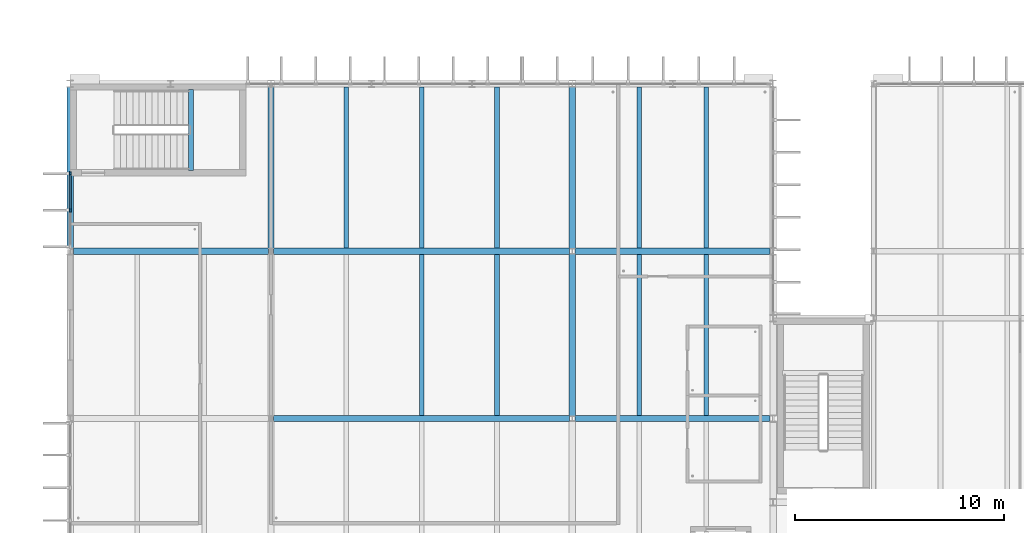
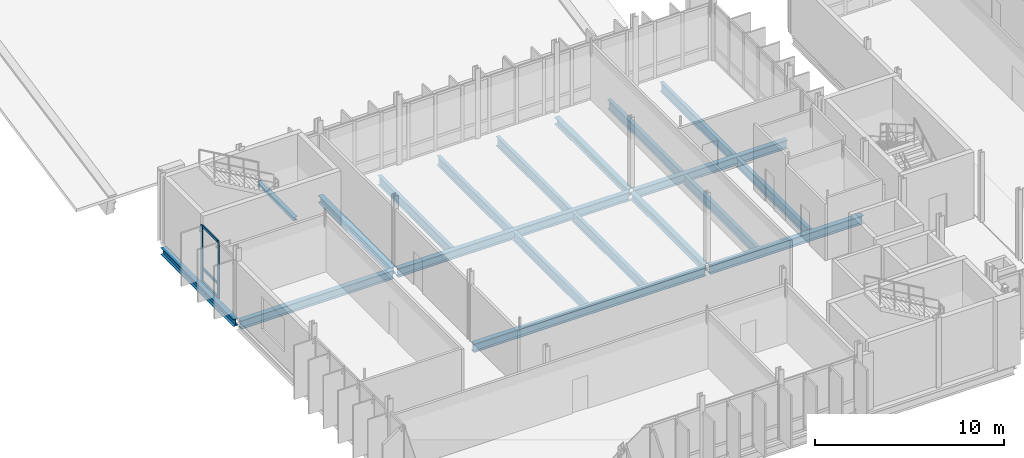
# One storey, part 15 of 59: 19 beams, 5 members, 1 element without a shape of its own.
"""IFC4 building model written with IfcOpenShell, lengths in metres."""

from ifc_helpers import new_model, si_unit, direction, frame, origin, origin_2d, place, context, subcontext, project, spatial, rectangle, i_section, extrude, material, material_profile, profile_set, type_object, element, aggregate, save


model = new_model("IFC4")

# Units and contexts
model_context = context("Model", 3, precision=1e-05, world=origin(), true_north=direction((0.0, 1.0)))
body_context = subcontext(model_context, "Body", "Model", "MODEL_VIEW")
ifc_project = project(units=[si_unit("LENGTHUNIT", "METRE"), si_unit("AREAUNIT", "SQUARE_METRE"), si_unit("VOLUMEUNIT", "CUBIC_METRE"), si_unit("PLANEANGLEUNIT", "RADIAN"), si_unit("MASSUNIT", "GRAM", prefix="KILO")], contexts=[model_context])

# Site, building, storey
site_placement = place(None, origin())
site = spatial("IfcSite", under=ifc_project, at=site_placement, CompositionType="ELEMENT")
building_placement = place(site_placement, origin())
building = spatial("IfcBuilding", under=site, at=building_placement, Name="Dunescarp Central Library", CompositionType="ELEMENT")
storey_placement = place(building_placement, frame((0.0, 0.0, 18.60009765625)))
storey = spatial("IfcBuildingStorey", under=building, at=storey_placement, Name="L04", CompositionType="ELEMENT", Elevation=18.60009765625)

# Curtain wall, members
ifc_material_1 = material(Name="Marine-grade anodised aluminium 6063-T6", Category="aluminium")
curtain_wall_type = type_object("IfcCurtainWallType", Name="ARC-CW-STICK", PredefinedType="NOTDEFINED", material=ifc_material_1)
curtain_wall_placement = place(storey_placement, origin())
curtain_wall = element("IfcCurtainWall", 1, at=curtain_wall_placement, inside=storey, type_object=curtain_wall_type, Name="L04 curtain wall CW-V1-029", PredefinedType="NOTDEFINED")
ifc_material_profile_1 = material_profile(ifc_material_1, rectangle(XDim=0.080078125, YDim=0.179931640625, at=origin_2d()), Name="AL 80x180")
ifc_profile_set_1 = profile_set([ifc_material_profile_1], Name="Marine-grade anodised aluminium 6063-T6")
member_type_1 = type_object("IfcMemberType", Name="ARC-CWM-180", PredefinedType="MULLION", material=ifc_profile_set_1)
member_1_placement = place(storey_placement, frame((0.0, 30.762451171875, 0.0), z_axis=(0.0, 0.0, 1.0), x_axis=(-1.0, 0.0, 0.0)))
member_1 = element("IfcMember", 2, at=member_1_placement, type_object=member_type_1, Name="CW-V1-029 mullion 2", PredefinedType="MULLION", context=body_context, shape_type="SweptSolid", body=[
    extrude(rectangle(XDim=0.080078125, YDim=0.179931640625, at=origin_2d()), origin(), (0.0, 0.0, 1.0), 3.664794921875),
])
member_2_placement = place(storey_placement, frame((0.0, 32.510009765625, 0.0), z_axis=(0.0, 0.0, 1.0), x_axis=(-1.0, 0.0, 0.0)))
member_2 = element("IfcMember", 3, at=member_2_placement, type_object=member_type_1, Name="CW-V1-029 mullion 3", PredefinedType="MULLION", context=body_context, shape_type="SweptSolid", body=[
    extrude(rectangle(XDim=0.080078125, YDim=0.179931640625, at=origin_2d()), origin(), (0.0, 0.0, 1.0), 3.664794921875),
])
ifc_material_profile_2 = material_profile(ifc_material_1, rectangle(XDim=0.080078125, YDim=0.14990234375, at=origin_2d()), Name="AL 80x150")
ifc_profile_set_2 = profile_set([ifc_material_profile_2], Name="Marine-grade anodised aluminium 6063-T6")
member_type_2 = type_object("IfcMemberType", Name="ARC-CWT-150", PredefinedType="USERDEFINED", material=ifc_profile_set_2)
member_3_placement = place(storey_placement, frame((0.0, 30.802490234375, 0.039794921875), z_axis=(0.0, 1.0, 0.0), x_axis=(-1.0, 0.0, 0.0)))
member_3 = element("IfcMember", 4, at=member_3_placement, type_object=member_type_2, Name="CW-V1-029 transom 2.1", ObjectType="TRANSOM", PredefinedType="USERDEFINED", context=body_context, shape_type="SweptSolid", body=[
    extrude(rectangle(XDim=0.080078125, YDim=0.14990234375, at=origin_2d()), origin(), (0.0, 0.0, 1.0), 1.66748046875),
])
member_4_placement = place(storey_placement, frame((0.0, 30.802490234375, 0.89990234375), z_axis=(0.0, 1.0, 0.0), x_axis=(-1.0, 0.0, 0.0)))
member_4 = element("IfcMember", 5, at=member_4_placement, type_object=member_type_2, Name="CW-V1-029 transom 2.2", ObjectType="TRANSOM", PredefinedType="USERDEFINED", context=body_context, shape_type="SweptSolid", body=[
    extrude(rectangle(XDim=0.080078125, YDim=0.14990234375, at=origin_2d()), origin(), (0.0, 0.0, 1.0), 1.66748046875),
])
member_5_placement = place(storey_placement, frame((0.0, 30.802490234375, 3.625), z_axis=(0.0, 1.0, 0.0), x_axis=(-1.0, 0.0, 0.0)))
member_5 = element("IfcMember", 6, at=member_5_placement, type_object=member_type_2, Name="CW-V1-029 transom 2.3", ObjectType="TRANSOM", PredefinedType="USERDEFINED", context=body_context, shape_type="SweptSolid", body=[
    extrude(rectangle(XDim=0.080078125, YDim=0.14990234375, at=origin_2d()), origin(), (0.0, 0.0, 1.0), 1.66748046875),
])
aggregate(curtain_wall, [member_1, member_2, member_3, member_4, member_5])

# Beams
ifc_material_2 = material(Name="Steel S355JR", Category="steel")
ifc_material_profile_3 = material_profile(ifc_material_2, i_section(OverallWidth=0.300048828125, OverallDepth=0.449951171875, WebThickness=0.013916015625, FlangeThickness=0.02587890625, at=origin_2d()), Name="HEB 450")
ifc_profile_set_3 = profile_set([ifc_material_profile_3], Name="Steel S355JR")
beam_type_1 = type_object("IfcBeamType", Name="STR-BM-HEB450", PredefinedType="BEAM", material=ifc_profile_set_3)
beam_1_placement = place(storey_placement, frame((0.0, 28.9609375, -0.47509765625), z_axis=(0.0, 1.0, 0.0), x_axis=(-1.0, 0.0, 0.0)))
element("IfcBeam", 7, at=beam_1_placement, inside=storey, type_object=beam_type_1, Name="L04 girder BM-L04-0183", PredefinedType="BEAM", context=body_context, shape_type="SweptSolid", body=[
    extrude(i_section(OverallWidth=0.300048828125, OverallDepth=0.449951171875, WebThickness=0.013916015625, FlangeThickness=0.02587890625, at=origin_2d()), origin(), (0.0, 0.0, 1.0), 7.677978515625),
])
beam_2_placement = place(storey_placement, frame((9.60009765625, 28.93505859375, -0.47509765625), z_axis=(0.0, 1.0, 0.0), x_axis=(-1.0, 0.0, 0.0)))
element("IfcBeam", 8, at=beam_2_placement, inside=storey, type_object=beam_type_1, Name="L04 girder BM-L04-0184", PredefinedType="BEAM", context=body_context, shape_type="SweptSolid", body=[
    extrude(i_section(OverallWidth=0.300048828125, OverallDepth=0.449951171875, WebThickness=0.013916015625, FlangeThickness=0.02587890625, at=origin_2d()), origin(), (0.0, 0.0, 1.0), 7.703857421875),
])
beam_3_placement = place(storey_placement, frame((24.0, 20.93505859375, -0.47509765625), z_axis=(0.0, 1.0, 0.0), x_axis=(-1.0, 0.0, 0.0)))
element("IfcBeam", 9, at=beam_3_placement, inside=storey, type_object=beam_type_1, Name="L04 girder BM-L04-0197", PredefinedType="BEAM", context=body_context, shape_type="SweptSolid", body=[
    extrude(i_section(OverallWidth=0.300048828125, OverallDepth=0.449951171875, WebThickness=0.013916015625, FlangeThickness=0.02587890625, at=origin_2d()), origin(), (0.0, 0.0, 1.0), 7.72998046875),
])
beam_4_placement = place(storey_placement, frame((24.0, 28.93505859375, -0.47509765625), z_axis=(0.0, 1.0, 0.0), x_axis=(-1.0, 0.0, 0.0)))
element("IfcBeam", 10, at=beam_4_placement, inside=storey, type_object=beam_type_1, Name="L04 girder BM-L04-0202", PredefinedType="BEAM", context=body_context, shape_type="SweptSolid", body=[
    extrude(i_section(OverallWidth=0.300048828125, OverallDepth=0.449951171875, WebThickness=0.013916015625, FlangeThickness=0.02587890625, at=origin_2d()), origin(), (0.0, 0.0, 1.0), 7.703857421875),
])
ifc_material_profile_4 = material_profile(ifc_material_2, i_section(OverallWidth=0.300048828125, OverallDepth=0.550048828125, WebThickness=0.014892578125, FlangeThickness=0.029052734375, at=origin_2d()), Name="HEB 550")
ifc_profile_set_4 = profile_set([ifc_material_profile_4], Name="Steel S355JR")
beam_type_2 = type_object("IfcBeamType", Name="STR-BM-HEB550", PredefinedType="BEAM", material=ifc_profile_set_4)
beam_5_placement = place(storey_placement, frame((0.153076171875, 28.800048828125, -0.525146484375), z_axis=(1.0, 0.0, 0.0), x_axis=(0.0, 1.0, 0.0)))
element("IfcBeam", 11, at=beam_5_placement, inside=storey, type_object=beam_type_2, Name="L04 girder BM-L04-0177", PredefinedType="BEAM", context=body_context, shape_type="SweptSolid", body=[
    extrude(i_section(OverallWidth=0.300048828125, OverallDepth=0.550048828125, WebThickness=0.014892578125, FlangeThickness=0.029052734375, at=origin_2d()), origin(), (0.0, 0.0, 1.0), 9.31884765625),
])
for number, where, z_axis, x_axis, name in (
    (12, (9.72802734375, 20.800048828125, -0.525146484375), (1.0, 0.0, 0.0), (0.0, 1.0, 0.0), "L04 girder BM-L04-0191"),
    (13, (9.72802734375, 28.800048828125, -0.525146484375), (1.0, 0.0, 0.0), (0.0, 1.0, 0.0), "L04 girder BM-L04-0196"),
):
    element("IfcBeam", number, at=place(storey_placement, frame(where, z_axis=z_axis, x_axis=x_axis)), inside=storey, type_object=beam_type_2, Name=name, PredefinedType="BEAM", context=body_context, shape_type="SweptSolid", body=[
        extrude(i_section(OverallWidth=0.300048828125, OverallDepth=0.550048828125, WebThickness=0.014892578125, FlangeThickness=0.029052734375, at=origin_2d()), origin(), (0.0, 0.0, 1.0), 14.14404296875),
    ])
for number, where, z_axis, x_axis, name in (
    (14, (24.1279296875, 20.800048828125, -0.525146484375), (1.0, 0.0, 0.0), (0.0, 1.0, 0.0), "L04 girder BM-L04-0209"),
    (15, (24.1279296875, 28.800048828125, -0.525146484375), (1.0, 0.0, 0.0), (0.0, 1.0, 0.0), "L04 girder BM-L04-0213"),
):
    element("IfcBeam", number, at=place(storey_placement, frame(where, z_axis=z_axis, x_axis=x_axis)), inside=storey, type_object=beam_type_2, Name=name, PredefinedType="BEAM", context=body_context, shape_type="SweptSolid", body=[
        extrude(i_section(OverallWidth=0.300048828125, OverallDepth=0.550048828125, WebThickness=0.014892578125, FlangeThickness=0.029052734375, at=origin_2d()), origin(), (0.0, 0.0, 1.0), 9.319091796875),
    ])
ifc_material_profile_5 = material_profile(ifc_material_2, i_section(OverallWidth=0.239990234375, OverallDepth=0.22998046875, WebThickness=0.007568359375, FlangeThickness=0.011962890625, at=origin_2d()), Name="HEA 240")
ifc_profile_set_5 = profile_set([ifc_material_profile_5], Name="Steel S355JR")
beam_type_3 = type_object("IfcBeamType", Name="STR-JS-HEA240", PredefinedType="JOIST", material=ifc_profile_set_5)
beam_6_placement = place(storey_placement, frame((5.780029296875, 32.659912109375, 1.934814453125), z_axis=(0.0, 1.0, 0.0), x_axis=(-1.0, 0.0, 0.0)))
element("IfcBeam", 16, at=beam_6_placement, inside=storey, type_object=beam_type_3, Name="L04 ST-6 landing trimmer beam BM-ST-011", PredefinedType="BEAM", context=body_context, shape_type="SweptSolid", body=[
    extrude(i_section(OverallWidth=0.239990234375, OverallDepth=0.22998046875, WebThickness=0.007568359375, FlangeThickness=0.011962890625, at=origin_2d()), origin(), (0.0, 0.0, 1.0), 3.880126953125),
])
ifc_material_profile_6 = material_profile(ifc_material_2, i_section(OverallWidth=0.219970703125, OverallDepth=0.60009765625, WebThickness=0.011962890625, FlangeThickness=0.01904296875, at=origin_2d()), Name="IPE 600")
ifc_profile_set_6 = profile_set([ifc_material_profile_6], Name="Steel S355JR")
beam_type_4 = type_object("IfcBeamType", Name="STR-JS-IPE500", PredefinedType="JOIST", material=ifc_profile_set_6)
for number, where, z_axis, x_axis, name in (
    (17, (16.800048828125, 20.947998046875, -0.550048828125), (0.0, 1.0, 0.0), (-1.0, 0.0, 0.0), "L04 joist JS-L04-0199"),
    (18, (20.39990234375, 20.947998046875, -0.550048828125), (0.0, 1.0, 0.0), (-1.0, 0.0, 0.0), "L04 joist JS-L04-0200"),
    (19, (13.199951171875, 28.947998046875, -0.550048828125), (0.0, 1.0, 0.0), (-1.0, 0.0, 0.0), "L04 joist JS-L04-0203"),
    (20, (16.800048828125, 28.947998046875, -0.550048828125), (0.0, 1.0, 0.0), (-1.0, 0.0, 0.0), "L04 joist JS-L04-0204"),
    (21, (20.39990234375, 28.947998046875, -0.550048828125), (0.0, 1.0, 0.0), (-1.0, 0.0, 0.0), "L04 joist JS-L04-0205"),
    (22, (27.199951171875, 20.947998046875, -0.550048828125), (0.0, 1.0, 0.0), (-1.0, 0.0, 0.0), "L04 joist JS-L04-0215"),
    (23, (30.39990234375, 20.947998046875, -0.550048828125), (0.0, 1.0, 0.0), (-1.0, 0.0, 0.0), "L04 joist JS-L04-0216"),
    (24, (27.199951171875, 28.947998046875, -0.550048828125), (0.0, 1.0, 0.0), (-1.0, 0.0, 0.0), "L04 joist JS-L04-0219"),
    (25, (30.39990234375, 28.947998046875, -0.550048828125), (0.0, 1.0, 0.0), (-1.0, 0.0, 0.0), "L04 joist JS-L04-0220"),
):
    element("IfcBeam", number, at=place(storey_placement, frame(where, z_axis=z_axis, x_axis=x_axis)), inside=storey, type_object=beam_type_4, Name=name, PredefinedType="JOIST", context=body_context, shape_type="SweptSolid", body=[
        extrude(i_section(OverallWidth=0.219970703125, OverallDepth=0.60009765625, WebThickness=0.011962890625, FlangeThickness=0.01904296875, at=origin_2d()), origin(), (0.0, 0.0, 1.0), 7.7041015625),
    ])

save(model, "model.ifc")
